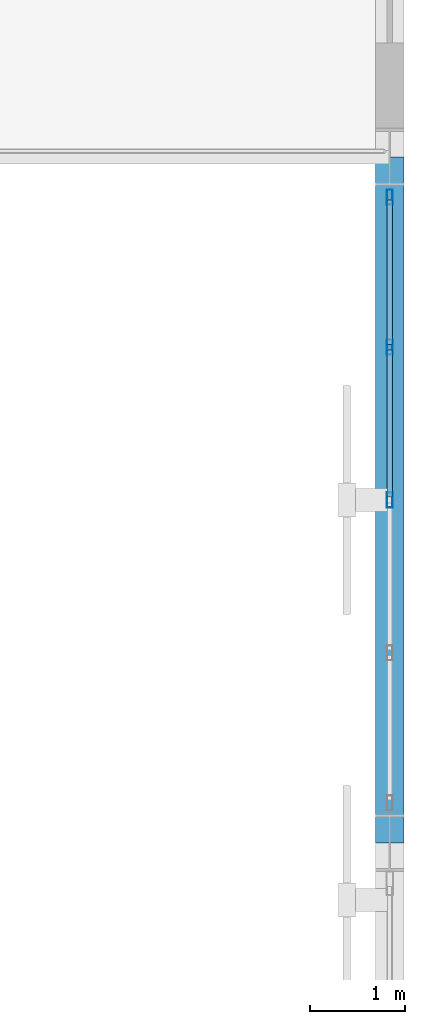
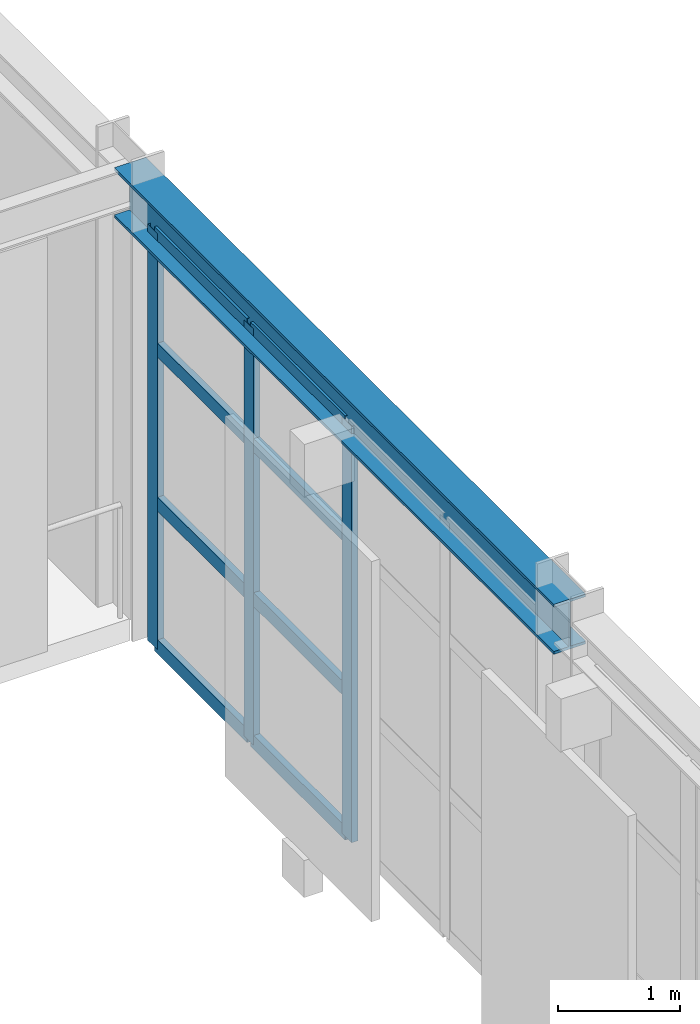
# One storey, part 62 of 121: 11 members, 1 beam, 1 element without a shape of its own.
"""IFC4 building model written with IfcOpenShell, lengths in metres."""

from ifc_helpers import new_model, si_unit, direction, frame, origin, origin_2d, place, context, subcontext, project, spatial, hollow_rectangle, i_section, extrude, material, layer, layer_set, material_profile, profile_set, type_object, element, aggregate, save


model = new_model("IFC4")

# Units and contexts
model_context = context("Model", 3, precision=1e-05, world=origin(), true_north=direction((0.0, 1.0)))
body_context = subcontext(model_context, "Body", "Model", "MODEL_VIEW")
ifc_project = project(units=[si_unit("LENGTHUNIT", "METRE"), si_unit("AREAUNIT", "SQUARE_METRE"), si_unit("VOLUMEUNIT", "CUBIC_METRE"), si_unit("PLANEANGLEUNIT", "RADIAN"), si_unit("MASSUNIT", "GRAM", prefix="KILO")], contexts=[model_context])

# Site, building, storey
site_placement = place(None, origin())
site = spatial("IfcSite", under=ifc_project, at=site_placement, CompositionType="ELEMENT")
building_placement = place(site_placement, origin())
building = spatial("IfcBuilding", under=site, at=building_placement, Name="Solvadek Multi-Sports Hall", CompositionType="ELEMENT")
storey_placement = place(building_placement, frame((0.0, 0.0, 4.800048828125)))
storey = spatial("IfcBuildingStorey", under=building, at=storey_placement, Name="L01", CompositionType="ELEMENT", Elevation=4.800048828125)

# Curtain wall, members
ifc_material_1 = material(Name="Anodised aluminium", Category="aluminium")
ifc_layer = layer(ifc_material_1, 0.159912109375, Name="Anodised aluminium")
ifc_layer_set = layer_set([ifc_layer], Name="Anodised aluminium")
curtain_wall_type = type_object("IfcCurtainWallType", Name="ENV-CW-642X416", PredefinedType="USERDEFINED", material=ifc_layer_set)
curtain_wall_placement = place(storey_placement, origin())
curtain_wall = element("IfcCurtainWall", 1, at=curtain_wall_placement, inside=storey, type_object=curtain_wall_type, Name="L01 Perimeter Bay Curtain Wall #149", ObjectType="CURTAIN WALL", PredefinedType="USERDEFINED")
ifc_material_profile_1 = material_profile(ifc_material_1, hollow_rectangle(XDim=0.06005859375, YDim=0.159912109375, WallThickness=0.00390625, at=origin_2d()), Name="ALU-M 160x60x4")
ifc_profile_set_1 = profile_set([ifc_material_profile_1], Name="Anodised aluminium")
member_type_1 = type_object("IfcMemberType", Name="ENV-CWM-01", PredefinedType="MULLION", material=ifc_profile_set_1)
member_1_placement = place(storey_placement, frame((161.39990234375, 60.0, 0.0), z_axis=(0.0, 0.0, 1.0), x_axis=(-1.0, 0.0, 0.0)))
member_1 = element("IfcMember", 2, at=member_1_placement, type_object=member_type_1, Name="CW-53 mullion 3", PredefinedType="MULLION", context=body_context, shape_type="SweptSolid", body=[
    extrude(hollow_rectangle(XDim=0.06005859375, YDim=0.159912109375, WallThickness=0.00390625, at=origin_2d()), origin(), (0.0, 0.0, 1.0), 4.161865234375),
])
member_2_placement = place(storey_placement, frame((161.39990234375, 61.60498046875, 0.0), z_axis=(0.0, 0.0, 1.0), x_axis=(-1.0, 0.0, 0.0)))
member_2 = element("IfcMember", 3, at=member_2_placement, type_object=member_type_1, Name="CW-53 mullion 4", PredefinedType="MULLION", context=body_context, shape_type="SweptSolid", body=[
    extrude(hollow_rectangle(XDim=0.06005859375, YDim=0.159912109375, WallThickness=0.00390625, at=origin_2d()), origin(), (0.0, 0.0, 1.0), 4.161865234375),
])
member_3_placement = place(storey_placement, frame((161.39990234375, 63.179931640625, 0.0), z_axis=(0.0, 0.0, 1.0), x_axis=(-1.0, 0.0, 0.0)))
member_3 = element("IfcMember", 4, at=member_3_placement, type_object=member_type_1, Name="CW-53 mullion 5", PredefinedType="MULLION", context=body_context, shape_type="SweptSolid", body=[
    extrude(hollow_rectangle(XDim=0.06005859375, YDim=0.159912109375, WallThickness=0.00390625, at=origin_2d()), origin(), (0.0, 0.0, 1.0), 4.161865234375),
])
ifc_material_profile_2 = material_profile(ifc_material_1, hollow_rectangle(XDim=0.06005859375, YDim=0.139892578125, WallThickness=0.00390625, at=origin_2d()), Name="ALU-T 140x60x4")
ifc_profile_set_2 = profile_set([ifc_material_profile_2], Name="Anodised aluminium")
member_type_2 = type_object("IfcMemberType", Name="ENV-CWT-02", PredefinedType="USERDEFINED", material=ifc_profile_set_2)
member_4_placement = place(storey_placement, frame((161.39990234375, 60.030029296875, 0.030029296875), z_axis=(0.0, 1.0, 0.0), x_axis=(-1.0, 0.0, 0.0)))
member_4 = element("IfcMember", 5, at=member_4_placement, type_object=member_type_2, Name="CW-53 transom 3.1", ObjectType="TRANSOM", PredefinedType="USERDEFINED", context=body_context, shape_type="SweptSolid", body=[
    extrude(hollow_rectangle(XDim=0.06005859375, YDim=0.139892578125, WallThickness=0.00390625, at=origin_2d()), origin(), (0.0, 0.0, 1.0), 1.544921875),
])
member_5_placement = place(storey_placement, frame((161.39990234375, 60.030029296875, 1.45703125), z_axis=(0.0, 1.0, 0.0), x_axis=(-1.0, 0.0, 0.0)))
member_5 = element("IfcMember", 6, at=member_5_placement, type_object=member_type_2, Name="CW-53 transom 3.2", ObjectType="TRANSOM", PredefinedType="USERDEFINED", context=body_context, shape_type="SweptSolid", body=[
    extrude(hollow_rectangle(XDim=0.06005859375, YDim=0.139892578125, WallThickness=0.00390625, at=origin_2d()), origin(), (0.0, 0.0, 1.0), 1.544921875),
])
member_6_placement = place(storey_placement, frame((161.39990234375, 60.030029296875, 2.9970703125), z_axis=(0.0, 1.0, 0.0), x_axis=(-1.0, 0.0, 0.0)))
member_6 = element("IfcMember", 7, at=member_6_placement, type_object=member_type_2, Name="CW-53 transom 3.3", ObjectType="TRANSOM", PredefinedType="USERDEFINED", context=body_context, shape_type="SweptSolid", body=[
    extrude(hollow_rectangle(XDim=0.06005859375, YDim=0.139892578125, WallThickness=0.00390625, at=origin_2d()), origin(), (0.0, 0.0, 1.0), 1.544921875),
])
member_7_placement = place(storey_placement, frame((161.39990234375, 60.030029296875, 4.1318359375), z_axis=(0.0, 1.0, 0.0), x_axis=(-1.0, 0.0, 0.0)))
member_7 = element("IfcMember", 8, at=member_7_placement, type_object=member_type_2, Name="CW-53 transom 3.4", ObjectType="TRANSOM", PredefinedType="USERDEFINED", context=body_context, shape_type="SweptSolid", body=[
    extrude(hollow_rectangle(XDim=0.06005859375, YDim=0.139892578125, WallThickness=0.00390625, at=origin_2d()), origin(), (0.0, 0.0, 1.0), 1.544921875),
])
member_8_placement = place(storey_placement, frame((161.39990234375, 61.635009765625, 0.030029296875), z_axis=(0.0, 1.0, 0.0), x_axis=(-1.0, 0.0, 0.0)))
member_8 = element("IfcMember", 9, at=member_8_placement, type_object=member_type_2, Name="CW-53 transom 4.1", ObjectType="TRANSOM", PredefinedType="USERDEFINED", context=body_context, shape_type="SweptSolid", body=[
    extrude(hollow_rectangle(XDim=0.06005859375, YDim=0.139892578125, WallThickness=0.00390625, at=origin_2d()), origin(), (0.0, 0.0, 1.0), 1.514892578125),
])
member_9_placement = place(storey_placement, frame((161.39990234375, 61.635009765625, 1.45703125), z_axis=(0.0, 1.0, 0.0), x_axis=(-1.0, 0.0, 0.0)))
member_9 = element("IfcMember", 10, at=member_9_placement, type_object=member_type_2, Name="CW-53 transom 4.2", ObjectType="TRANSOM", PredefinedType="USERDEFINED", context=body_context, shape_type="SweptSolid", body=[
    extrude(hollow_rectangle(XDim=0.06005859375, YDim=0.139892578125, WallThickness=0.00390625, at=origin_2d()), origin(), (0.0, 0.0, 1.0), 1.514892578125),
])
member_10_placement = place(storey_placement, frame((161.39990234375, 61.635009765625, 2.9970703125), z_axis=(0.0, 1.0, 0.0), x_axis=(-1.0, 0.0, 0.0)))
member_10 = element("IfcMember", 11, at=member_10_placement, type_object=member_type_2, Name="CW-53 transom 4.3", ObjectType="TRANSOM", PredefinedType="USERDEFINED", context=body_context, shape_type="SweptSolid", body=[
    extrude(hollow_rectangle(XDim=0.06005859375, YDim=0.139892578125, WallThickness=0.00390625, at=origin_2d()), origin(), (0.0, 0.0, 1.0), 1.514892578125),
])
member_11_placement = place(storey_placement, frame((161.39990234375, 61.635009765625, 4.1318359375), z_axis=(0.0, 1.0, 0.0), x_axis=(-1.0, 0.0, 0.0)))
member_11 = element("IfcMember", 12, at=member_11_placement, type_object=member_type_2, Name="CW-53 transom 4.4", ObjectType="TRANSOM", PredefinedType="USERDEFINED", context=body_context, shape_type="SweptSolid", body=[
    extrude(hollow_rectangle(XDim=0.06005859375, YDim=0.139892578125, WallThickness=0.00390625, at=origin_2d()), origin(), (0.0, 0.0, 1.0), 1.514892578125),
])
aggregate(curtain_wall, [member_1, member_2, member_3, member_4, member_5, member_6, member_7, member_8, member_9, member_10, member_11])

# Beam
ifc_material_2 = material(Name="Steel E350 (350 MPa)", Category="steel")
ifc_material_profile_3 = material_profile(ifc_material_2, i_section(OverallWidth=0.300048828125, OverallDepth=0.5, WebThickness=0.014404296875, FlangeThickness=0.028076171875, at=origin_2d()), Name="WPB 500")
ifc_profile_set_3 = profile_set([ifc_material_profile_3], Name="Steel E350 (350 MPa)")
beam_type = type_object("IfcBeamType", Name="STR-SPN-WPB500", PredefinedType="SPANDREL", material=ifc_profile_set_3)
beam_placement = place(storey_placement, frame((161.39990234375, 56.39990234375, 4.31005859375), z_axis=(0.0, 1.0, 0.0), x_axis=(-1.0, 0.0, 0.0)))
element("IfcBeam", 13, at=beam_placement, inside=storey, type_object=beam_type, Name="L01 Girder SP-01 #1307", PredefinedType="SPANDREL", context=body_context, shape_type="SweptSolid", body=[
    extrude(i_section(OverallWidth=0.300048828125, OverallDepth=0.5, WebThickness=0.014404296875, FlangeThickness=0.028076171875, at=origin_2d()), origin(), (0.0, 0.0, 1.0), 7.2001953125),
])

save(model, "model.ifc")
